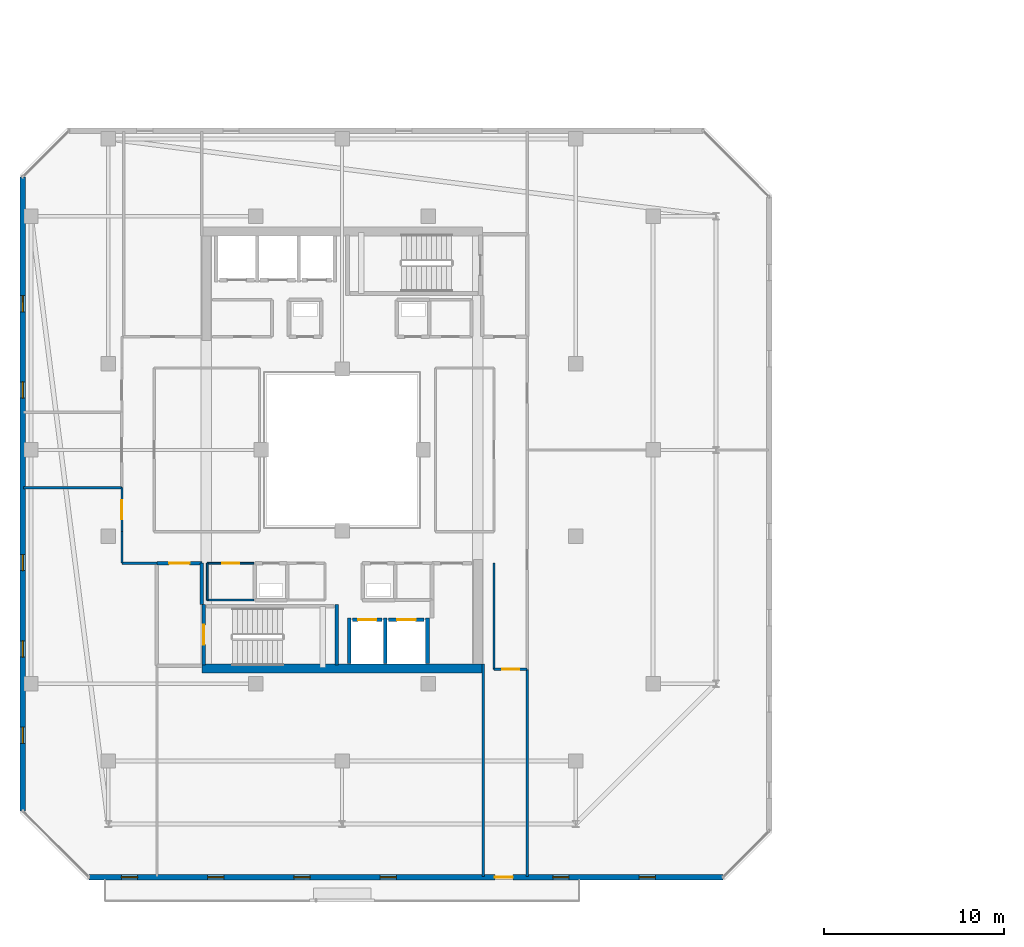
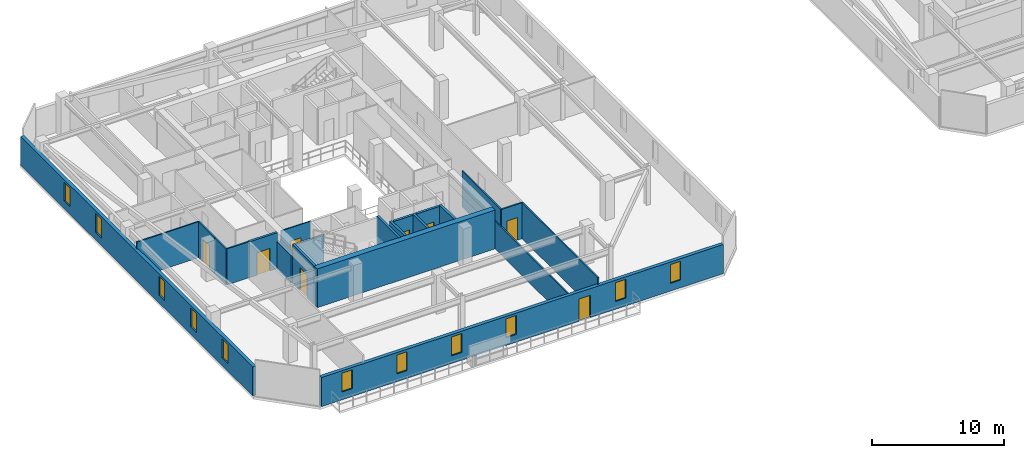
# One storey, part 21 of 34: 23 walls, 11 windows, 8 doors, 19 openings.
"""IFC4 building model written with IfcOpenShell, lengths in metres."""

from ifc_helpers import new_model, si_unit, direction, frame, frame_2d, origin, place, context, subcontext, project, spatial, rectangle, extrude, material, layer, layer_set, type_object, element, fill, save


model = new_model("IFC4")

# Units and contexts
model_context = context("Model", 3, precision=1e-05, world=origin(), true_north=direction((0.0, 1.0)))
body_context = subcontext(model_context, "Body", "Model", "MODEL_VIEW")
ifc_project = project(units=[si_unit("LENGTHUNIT", "METRE"), si_unit("AREAUNIT", "SQUARE_METRE"), si_unit("VOLUMEUNIT", "CUBIC_METRE"), si_unit("PLANEANGLEUNIT", "RADIAN"), si_unit("MASSUNIT", "GRAM", prefix="KILO")], contexts=[model_context])

# Site, building, storey
site_placement = place(None, origin())
site = spatial("IfcSite", under=ifc_project, at=site_placement, CompositionType="ELEMENT")
building_placement = place(site_placement, origin())
building = spatial("IfcBuilding", under=site, at=building_placement, Name="Thornwick Lancets Civic Towers", CompositionType="ELEMENT")
storey_placement = place(building_placement, frame((0.0, 0.0, 261.89990234375)))
storey = spatial("IfcBuildingStorey", under=building, at=storey_placement, Name="L70", CompositionType="ELEMENT", Elevation=261.89990234375)

# Wall, opening, door
ifc_material_1 = material(Name="Concrete blockwork C40/50", Category="masonry")
ifc_layer_1 = layer(ifc_material_1, 0.199951171875, Name="Concrete blockwork C40/50")
ifc_layer_set_1 = layer_set([ifc_layer_1], Name="Concrete blockwork C40/50")
wall_type_1 = type_object("IfcWallType", Name="WALL_COMP_200", PredefinedType="STANDARD", material=ifc_layer_set_1)
wall_1_placement = place(storey_placement, frame((26.080078125, 17.550048828125, 0.0), z_axis=(0.0, 0.0, 1.0), x_axis=(1.0, 0.0, 0.0)))
wall_1 = element("IfcWall", 1, at=wall_1_placement, inside=storey, type_object=wall_type_1, Name="L70 Hoistway Front Wall FL-A1", PredefinedType="STANDARD", context=body_context, shape_type="SweptSolid", body=[
    extrude(rectangle(XDim=1.639892578125, YDim=0.199951171875, at=frame_2d((0.81982421875, 0.0))), origin(), (0.0, 0.0, 1.0), 3.340087890625),
])
opening_1_placement = place(wall_1_placement, frame((0.31005859375, 0.0, 0.0)))
opening_1 = element("IfcOpeningElement", 2, at=opening_1_placement, cuts=wall_1, Name="Opening LD-FL-A1", PredefinedType="OPENING", context=body_context, shape_type="SweptSolid", body=[
    extrude(rectangle(XDim=1.02001953125, YDim=2.06005859375, at=frame_2d((0.510009765625, 1.030029296875))), frame((0.0, 0.10986328125, 0.0), z_axis=(0.0, -1.0, 0.0), x_axis=(1.0, 0.0, 0.0)), (0.0, 0.0, 1.0), 0.219970703125),
])
ifc_material_2 = material(Name="Brushed bronze stainless steel", Category="steel")
door_type_1 = type_object("IfcDoorType", Name="DOOR_LIFT_SLIDE", OperationType="SLIDING_TO_LEFT", PredefinedType="DOOR", material=ifc_material_2)
door_1_placement = place(opening_1_placement, origin())
door_1 = element("IfcDoor", 3, at=door_1_placement, inside=storey, type_object=door_type_1, Name="L70 Sliding Lift Landing Door LD-FL-A1", OperationType="SLIDING_TO_LEFT", OverallHeight=2.06005859375, OverallWidth=1.02001953125, PredefinedType="DOOR", context=body_context, shape_type="SweptSolid", body=[
    extrude(rectangle(XDim=1.02001953125, YDim=2.06005859375, at=frame_2d((0.510009765625, 1.030029296875))), frame((0.0, 0.02490234375, 0.0), z_axis=(0.0, -1.0, 0.0), x_axis=(1.0, 0.0, 0.0)), (0.0, 0.0, 1.0), 0.050048828125),
])
fill(opening_1, door_1)

wall_2_placement = place(storey_placement, frame((28.080078125, 17.550048828125, 0.0), z_axis=(0.0, 0.0, 1.0), x_axis=(1.0, 0.0, 0.0)))
wall_2 = element("IfcWall", 4, at=wall_2_placement, inside=storey, type_object=wall_type_1, Name="L70 Hoistway Front Wall PL-AH1", PredefinedType="STANDARD", context=body_context, shape_type="SweptSolid", body=[
    extrude(rectangle(XDim=1.989990234375, YDim=0.199951171875, at=frame_2d((0.9951171875, 0.0))), origin(), (0.0, 0.0, 1.0), 3.340087890625),
])
opening_2_placement = place(wall_2_placement, frame((0.485107421875, 0.0, 0.0)))
opening_2 = element("IfcOpeningElement", 5, at=opening_2_placement, cuts=wall_2, Name="Opening LD-PL-AH1", PredefinedType="OPENING", context=body_context, shape_type="SweptSolid", body=[
    extrude(rectangle(XDim=1.02001953125, YDim=2.06005859375, at=frame_2d((0.510009765625, 1.030029296875))), frame((0.0, 0.10986328125, 0.0), z_axis=(0.0, -1.0, 0.0), x_axis=(1.0, 0.0, 0.0)), (0.0, 0.0, 1.0), 0.219970703125),
])
door_2_placement = place(opening_2_placement, origin())
door_2 = element("IfcDoor", 6, at=door_2_placement, inside=storey, type_object=door_type_1, Name="L70 Sliding Lift Landing Door LD-PL-AH1", OperationType="SLIDING_TO_LEFT", OverallHeight=2.06005859375, OverallWidth=1.02001953125, PredefinedType="DOOR", context=body_context, shape_type="SweptSolid", body=[
    extrude(rectangle(XDim=1.02001953125, YDim=2.06005859375, at=frame_2d((0.510009765625, 1.030029296875))), frame((0.0, 0.02490234375, 0.0), z_axis=(0.0, -1.0, 0.0), x_axis=(1.0, 0.0, 0.0)), (0.0, 0.0, 1.0), 0.050048828125),
])
fill(opening_2, door_2)

# Walls
for number, where, z_axis, x_axis, name in (
    (7, (27.89990234375, 15.112060546875, 0.0), (0.0, 0.0, 1.0), (0.0, 1.0, 0.0), "L70 Hoistway Shaft Wall FL-A1 E"),
    (8, (25.89990234375, 15.112060546875, 0.0), (0.0, 0.0, 1.0), (0.0, 1.0, 0.0), "L70 Hoistway Shaft Wall FL-A1 W"),
    (9, (30.25, 15.112060546875, 0.0), (0.0, 0.0, 1.0), (0.0, 1.0, 0.0), "L70 Hoistway Shaft Wall PL-AH1 E"),
):
    element("IfcWall", number, at=place(storey_placement, frame(where, z_axis=z_axis, x_axis=x_axis)), inside=storey, type_object=wall_type_1, Name=name, PredefinedType="STANDARD", context=body_context, shape_type="SweptSolid", body=[
        extrude(rectangle(XDim=2.535888671875, YDim=0.199951171875, at=frame_2d((1.26806640625, 0.0))), origin(), (0.0, 0.0, 1.0), 3.340087890625),
    ])
wall_3_placement = place(storey_placement, frame((17.699951171875, 18.39990234375, 0.0), z_axis=(0.0, 0.0, 1.0), x_axis=(0.0, 1.0, 0.0)))
element("IfcWall", 10, at=wall_3_placement, inside=storey, type_object=wall_type_1, Name="L70 Partition L70-A-FFLOB1 E2", PredefinedType="STANDARD", context=body_context, shape_type="SweptSolid", body=[
    extrude(rectangle(XDim=2.300048828125, YDim=0.199951171875, at=frame_2d((1.14990234375, 0.0))), origin(), (0.0, 0.0, 1.0), 2.545166015625),
])

# Wall, opening, door
wall_4_placement = place(storey_placement, frame((17.699951171875, 20.699951171875, 0.0), z_axis=(0.0, 0.0, 1.0), x_axis=(-1.0, 0.0, 0.0)))
wall_4 = element("IfcWall", 11, at=wall_4_placement, inside=storey, type_object=wall_type_1, Name="L70 Partition L70-A-FFLOB1 E3", PredefinedType="STANDARD", context=body_context, shape_type="SweptSolid", body=[
    extrude(rectangle(XDim=2.5, YDim=0.199951171875, at=frame_2d((1.25, 0.0))), origin(), (0.0, 0.0, 1.0), 3.340087890625),
])
opening_3_placement = place(wall_4_placement, frame((0.675048828125, 0.0, 0.0)))
opening_3 = element("IfcOpeningElement", 12, at=opening_3_placement, cuts=wall_4, Name="Opening D-L70-3179", PredefinedType="OPENING", context=body_context, shape_type="SweptSolid", body=[
    extrude(rectangle(XDim=1.14990234375, YDim=2.10009765625, at=frame_2d((0.574951171875, 1.050048828125))), frame((0.0, 0.10986328125, 0.0), z_axis=(0.0, -1.0, 0.0), x_axis=(1.0, 0.0, 0.0)), (0.0, 0.0, 1.0), 0.219970703125),
])
ifc_material_3 = material(Name="Glazed fire-resisting steel", Category="steel")
door_type_2 = type_object("IfcDoorType", Name="DOOR_LOBBY_FD60", OperationType="NOTDEFINED", PredefinedType="DOOR", material=ifc_material_3)
door_3_placement = place(opening_3_placement, origin())
door_3 = element("IfcDoor", 13, at=door_3_placement, inside=storey, type_object=door_type_2, Name="L70 South Firefighting Lobby 1 Door", OperationType="SINGLE_SWING_RIGHT", OverallHeight=2.10009765625, OverallWidth=1.14990234375, PredefinedType="DOOR", context=body_context, shape_type="SweptSolid", body=[
    extrude(rectangle(XDim=1.14990234375, YDim=2.10009765625, at=frame_2d((0.574951171875, 1.050048828125))), frame((0.0, 0.02490234375, 0.0), z_axis=(0.0, -1.0, 0.0), x_axis=(1.0, 0.0, 0.0)), (0.0, 0.0, 1.0), 0.050048828125),
])
fill(opening_3, door_3)

# Wall
ifc_material_4 = material(Name="Concrete C50/60", Category="concrete")
ifc_layer_2 = layer(ifc_material_4, 0.5, Name="Concrete C50/60")
ifc_layer_set_2 = layer_set([ifc_layer_2], Name="Concrete C50/60")
wall_type_2 = type_object("IfcWallType", Name="WALL_CORE_500", PredefinedType="SHEAR", material=ifc_layer_set_2)
wall_5_placement = place(storey_placement, frame((17.699951171875, 14.85009765625, 0.0), z_axis=(0.0, 0.0, 1.0), x_axis=(1.0, 0.0, 0.0)))
element("IfcWall", 14, at=wall_5_placement, inside=storey, type_object=wall_type_2, Name="L70 Split Core A1 Shear Wall S", PredefinedType="SHEAR", context=body_context, shape_type="SweptSolid", body=[
    extrude(rectangle(XDim=15.60009765625, YDim=0.5, at=frame_2d((7.800048828125, 0.0))), origin(), (0.0, 0.0, 1.0), 3.60009765625),
])

# Wall, openings, door, windows
ifc_material_5 = material(Name="Insulated russet terracotta rainscreen on concrete C40/50", Category="masonry")
ifc_layer_3 = layer(ifc_material_5, 0.300048828125, Name="Insulated russet terracotta rainscreen on concrete C40/50")
ifc_layer_set_3 = layer_set([ifc_layer_3], Name="Insulated russet terracotta rainscreen on concrete C40/50")
wall_type_3 = type_object("IfcWallType", Name="WALL_EXT_RUSSET_300", PredefinedType="STANDARD", material=ifc_layer_set_3)
wall_6_placement = place(storey_placement, frame((11.42236328125, 3.239013671875, 0.0), z_axis=(0.0, 0.0, 1.0), x_axis=(0.999999994606, -0.000103863011, 0.0)))
wall_6 = element("IfcWall", 15, at=wall_6_placement, inside=storey, type_object=wall_type_3, Name="L70 Tower A Terracotta Facade Wall E0", PredefinedType="STANDARD", context=body_context, shape_type="SweptSolid", body=[
    extrude(rectangle(XDim=35.259033203125, YDim=0.300048828125, at=frame_2d((17.62939453125, 0.0))), origin(), (0.0, 0.0, 1.0), 2.7001953125),
])
opening_4_placement = place(wall_6_placement, frame((22.57958984375, 0.0, 0.0)))
opening_4 = element("IfcOpeningElement", 16, at=opening_4_placement, cuts=wall_6, Name="Opening D-BL-L70-AS", PredefinedType="OPENING", context=body_context, shape_type="SweptSolid", body=[
    extrude(rectangle(XDim=1.0, YDim=2.080078125, at=frame_2d((0.5, 1.0400390625))), frame((0.0, 0.16015625, 0.0), z_axis=(0.0, -1.0, 0.0), x_axis=(1.0, 0.0, 0.0)), (0.0, 0.0, 1.0), 0.320068359375),
])
opening_5_placement = place(wall_6_placement, frame((1.800048828125, 0.0, 0.719970703125)))
opening_5 = element("IfcOpeningElement", 17, at=opening_5_placement, cuts=wall_6, Name="Opening WL-01", PredefinedType="OPENING", context=body_context, shape_type="SweptSolid", body=[
    extrude(rectangle(XDim=0.89990234375, YDim=1.75, at=frame_2d((0.449951171875, 0.875))), frame((0.0, 0.16015625, 0.0), z_axis=(0.0, -1.0, 0.0), x_axis=(1.0, 0.0, 0.0)), (0.0, 0.0, 1.0), 0.320068359375),
])
opening_6_placement = place(wall_6_placement, frame((6.60009765625, 0.0, 0.719970703125)))
opening_6 = element("IfcOpeningElement", 18, at=opening_6_placement, cuts=wall_6, Name="Opening WL-01", PredefinedType="OPENING", context=body_context, shape_type="SweptSolid", body=[
    extrude(rectangle(XDim=0.89990234375, YDim=1.75, at=frame_2d((0.449951171875, 0.875))), frame((0.0, 0.16015625, 0.0), z_axis=(0.0, -1.0, 0.0), x_axis=(1.0, 0.0, 0.0)), (0.0, 0.0, 1.0), 0.320068359375),
])
opening_7_placement = place(wall_6_placement, frame((11.39990234375, 0.0, 0.719970703125)))
opening_7 = element("IfcOpeningElement", 19, at=opening_7_placement, cuts=wall_6, Name="Opening WL-01", PredefinedType="OPENING", context=body_context, shape_type="SweptSolid", body=[
    extrude(rectangle(XDim=0.89990234375, YDim=1.75, at=frame_2d((0.449951171875, 0.875))), frame((0.0, 0.16015625, 0.0), z_axis=(0.0, -1.0, 0.0), x_axis=(1.0, 0.0, 0.0)), (0.0, 0.0, 1.0), 0.320068359375),
])
opening_8_placement = place(wall_6_placement, frame((16.199951171875, 0.0, 0.719970703125)))
opening_8 = element("IfcOpeningElement", 20, at=opening_8_placement, cuts=wall_6, Name="Opening WL-01", PredefinedType="OPENING", context=body_context, shape_type="SweptSolid", body=[
    extrude(rectangle(XDim=0.89990234375, YDim=1.75, at=frame_2d((0.449951171875, 0.875))), frame((0.0, 0.16015625, 0.0), z_axis=(0.0, -1.0, 0.0), x_axis=(1.0, 0.0, 0.0)), (0.0, 0.0, 1.0), 0.320068359375),
])
opening_9_placement = place(wall_6_placement, frame((25.800048828125, 0.0, 0.719970703125)))
opening_9 = element("IfcOpeningElement", 21, at=opening_9_placement, cuts=wall_6, Name="Opening WL-01", PredefinedType="OPENING", context=body_context, shape_type="SweptSolid", body=[
    extrude(rectangle(XDim=0.89990234375, YDim=1.75, at=frame_2d((0.449951171875, 0.875))), frame((0.0, 0.16015625, 0.0), z_axis=(0.0, -1.0, 0.0), x_axis=(1.0, 0.0, 0.0)), (0.0, 0.0, 1.0), 0.320068359375),
])
opening_10_placement = place(wall_6_placement, frame((30.60009765625, 0.0, 0.719970703125)))
opening_10 = element("IfcOpeningElement", 22, at=opening_10_placement, cuts=wall_6, Name="Opening WL-01", PredefinedType="OPENING", context=body_context, shape_type="SweptSolid", body=[
    extrude(rectangle(XDim=0.89990234375, YDim=1.75, at=frame_2d((0.449951171875, 0.875))), frame((0.0, 0.16015625, 0.0), z_axis=(0.0, -1.0, 0.0), x_axis=(1.0, 0.0, 0.0)), (0.0, 0.0, 1.0), 0.320068359375),
])
ifc_material_6 = material(Name="Thermally broken glazed loggia doorset")
door_type_3 = type_object("IfcDoorType", Name="DOOR_BALC_1000", OperationType="NOTDEFINED", PredefinedType="DOOR", material=ifc_material_6)
door_4_placement = place(opening_4_placement, origin())
door_4 = element("IfcDoor", 23, at=door_4_placement, inside=storey, type_object=door_type_3, Name="L70 Tower A Loggia Balcony Door S", OperationType="SINGLE_SWING_LEFT", OverallHeight=2.080078125, OverallWidth=1.0, PredefinedType="DOOR", context=body_context, shape_type="SweptSolid", body=[
    extrude(rectangle(XDim=1.0, YDim=2.080078125, at=frame_2d((0.5, 1.0400390625))), frame((0.0, 0.02490234375, 0.0), z_axis=(0.0, -1.0, 0.0), x_axis=(1.0, 0.0, 0.0)), (0.0, 0.0, 1.0), 0.050048828125),
])
fill(opening_4, door_4)
ifc_material_7 = material(Name="Clear low-e double glazing in bronze frame", Category="glass")
window_type = type_object("IfcWindowType", Name="WIN_LANCET_900", PartitioningType="SINGLE_PANEL", PredefinedType="WINDOW", material=ifc_material_7)
window_1_placement = place(opening_5_placement, origin())
window_1 = element("IfcWindow", 24, at=window_1_placement, inside=storey, type_object=window_type, Name="L70 Tower A Staggered Lancet Window E0-1", OverallHeight=1.75, OverallWidth=0.89990234375, PartitioningType="SINGLE_PANEL", PredefinedType="WINDOW", context=body_context, shape_type="SweptSolid", body=[
    extrude(rectangle(XDim=0.89990234375, YDim=1.75, at=frame_2d((0.449951171875, 0.875))), frame((0.0, 0.030029296875, 0.0), z_axis=(0.0, -1.0, 0.0), x_axis=(1.0, 0.0, 0.0)), (0.0, 0.0, 1.0), 0.06005859375),
])
fill(opening_5, window_1)
window_2_placement = place(opening_6_placement, origin())
window_2 = element("IfcWindow", 25, at=window_2_placement, inside=storey, type_object=window_type, Name="L70 Tower A Staggered Lancet Window E0-2", OverallHeight=1.75, OverallWidth=0.89990234375, PartitioningType="SINGLE_PANEL", PredefinedType="WINDOW", context=body_context, shape_type="SweptSolid", body=[
    extrude(rectangle(XDim=0.89990234375, YDim=1.75, at=frame_2d((0.449951171875, 0.875))), frame((0.0, 0.030029296875, 0.0), z_axis=(0.0, -1.0, 0.0), x_axis=(1.0, 0.0, 0.0)), (0.0, 0.0, 1.0), 0.06005859375),
])
fill(opening_6, window_2)
window_3_placement = place(opening_7_placement, origin())
window_3 = element("IfcWindow", 26, at=window_3_placement, inside=storey, type_object=window_type, Name="L70 Tower A Staggered Lancet Window E0-3", OverallHeight=1.75, OverallWidth=0.89990234375, PartitioningType="SINGLE_PANEL", PredefinedType="WINDOW", context=body_context, shape_type="SweptSolid", body=[
    extrude(rectangle(XDim=0.89990234375, YDim=1.75, at=frame_2d((0.449951171875, 0.875))), frame((0.0, 0.030029296875, 0.0), z_axis=(0.0, -1.0, 0.0), x_axis=(1.0, 0.0, 0.0)), (0.0, 0.0, 1.0), 0.06005859375),
])
fill(opening_7, window_3)
window_4_placement = place(opening_8_placement, origin())
window_4 = element("IfcWindow", 27, at=window_4_placement, inside=storey, type_object=window_type, Name="L70 Tower A Staggered Lancet Window E0-4", OverallHeight=1.75, OverallWidth=0.89990234375, PartitioningType="SINGLE_PANEL", PredefinedType="WINDOW", context=body_context, shape_type="SweptSolid", body=[
    extrude(rectangle(XDim=0.89990234375, YDim=1.75, at=frame_2d((0.449951171875, 0.875))), frame((0.0, 0.030029296875, 0.0), z_axis=(0.0, -1.0, 0.0), x_axis=(1.0, 0.0, 0.0)), (0.0, 0.0, 1.0), 0.06005859375),
])
fill(opening_8, window_4)
window_5_placement = place(opening_9_placement, origin())
window_5 = element("IfcWindow", 28, at=window_5_placement, inside=storey, type_object=window_type, Name="L70 Tower A Staggered Lancet Window E0-5", OverallHeight=1.75, OverallWidth=0.89990234375, PartitioningType="SINGLE_PANEL", PredefinedType="WINDOW", context=body_context, shape_type="SweptSolid", body=[
    extrude(rectangle(XDim=0.89990234375, YDim=1.75, at=frame_2d((0.449951171875, 0.875))), frame((0.0, 0.030029296875, 0.0), z_axis=(0.0, -1.0, 0.0), x_axis=(1.0, 0.0, 0.0)), (0.0, 0.0, 1.0), 0.06005859375),
])
fill(opening_9, window_5)
window_6_placement = place(opening_10_placement, origin())
window_6 = element("IfcWindow", 29, at=window_6_placement, inside=storey, type_object=window_type, Name="L70 Tower A Staggered Lancet Window E0-6", OverallHeight=1.75, OverallWidth=0.89990234375, PartitioningType="SINGLE_PANEL", PredefinedType="WINDOW", context=body_context, shape_type="SweptSolid", body=[
    extrude(rectangle(XDim=0.89990234375, YDim=1.75, at=frame_2d((0.449951171875, 0.875))), frame((0.0, 0.030029296875, 0.0), z_axis=(0.0, -1.0, 0.0), x_axis=(1.0, 0.0, 0.0)), (0.0, 0.0, 1.0), 0.06005859375),
])
fill(opening_10, window_6)

# Wall, openings, windows
wall_7_placement = place(storey_placement, frame((7.7353515625, 42.181396484375, 0.0), z_axis=(0.0, 0.0, 1.0), x_axis=(0.000103863011, -0.999999994606, 0.0)))
wall_7 = element("IfcWall", 30, at=wall_7_placement, inside=storey, type_object=wall_type_3, Name="L70 Tower A Terracotta Facade Wall E6", PredefinedType="STANDARD", context=body_context, shape_type="SweptSolid", body=[
    extrude(rectangle(XDim=35.259033203125, YDim=0.300048828125, at=frame_2d((17.62939453125, 0.0))), origin(), (0.0, 0.0, 1.0), 2.7001953125),
])
opening_11_placement = place(wall_7_placement, frame((6.60009765625, 0.0, 0.719970703125)))
opening_11 = element("IfcOpeningElement", 31, at=opening_11_placement, cuts=wall_7, Name="Opening WL-01", PredefinedType="OPENING", context=body_context, shape_type="SweptSolid", body=[
    extrude(rectangle(XDim=0.89990234375, YDim=1.75, at=frame_2d((0.449951171875, 0.875))), frame((0.0, 0.16015625, 0.0), z_axis=(0.0, -1.0, 0.0), x_axis=(1.0, 0.0, 0.0)), (0.0, 0.0, 1.0), 0.320068359375),
])
opening_12_placement = place(wall_7_placement, frame((11.39990234375, 0.0, 0.719970703125)))
opening_12 = element("IfcOpeningElement", 32, at=opening_12_placement, cuts=wall_7, Name="Opening WL-01", PredefinedType="OPENING", context=body_context, shape_type="SweptSolid", body=[
    extrude(rectangle(XDim=0.89990234375, YDim=1.75, at=frame_2d((0.449951171875, 0.875))), frame((0.0, 0.16015625, 0.0), z_axis=(0.0, -1.0, 0.0), x_axis=(1.0, 0.0, 0.0)), (0.0, 0.0, 1.0), 0.320068359375),
])
opening_13_placement = place(wall_7_placement, frame((21.0, 0.0, 0.719970703125)))
opening_13 = element("IfcOpeningElement", 33, at=opening_13_placement, cuts=wall_7, Name="Opening WL-01", PredefinedType="OPENING", context=body_context, shape_type="SweptSolid", body=[
    extrude(rectangle(XDim=0.89990234375, YDim=1.75, at=frame_2d((0.449951171875, 0.875))), frame((0.0, 0.16015625, 0.0), z_axis=(0.0, -1.0, 0.0), x_axis=(1.0, 0.0, 0.0)), (0.0, 0.0, 1.0), 0.320068359375),
])
opening_14_placement = place(wall_7_placement, frame((25.800048828125, 0.0, 0.719970703125)))
opening_14 = element("IfcOpeningElement", 34, at=opening_14_placement, cuts=wall_7, Name="Opening WL-01", PredefinedType="OPENING", context=body_context, shape_type="SweptSolid", body=[
    extrude(rectangle(XDim=0.89990234375, YDim=1.75, at=frame_2d((0.449951171875, 0.875))), frame((0.0, 0.16015625, 0.0), z_axis=(0.0, -1.0, 0.0), x_axis=(1.0, 0.0, 0.0)), (0.0, 0.0, 1.0), 0.320068359375),
])
opening_15_placement = place(wall_7_placement, frame((30.60009765625, 0.0, 0.719970703125)))
opening_15 = element("IfcOpeningElement", 35, at=opening_15_placement, cuts=wall_7, Name="Opening WL-01", PredefinedType="OPENING", context=body_context, shape_type="SweptSolid", body=[
    extrude(rectangle(XDim=0.89990234375, YDim=1.75, at=frame_2d((0.449951171875, 0.875))), frame((0.0, 0.16015625, 0.0), z_axis=(0.0, -1.0, 0.0), x_axis=(1.0, 0.0, 0.0)), (0.0, 0.0, 1.0), 0.320068359375),
])
window_7_placement = place(opening_11_placement, origin())
window_7 = element("IfcWindow", 36, at=window_7_placement, inside=storey, type_object=window_type, Name="L70 Tower A Staggered Lancet Window E6-1", OverallHeight=1.75, OverallWidth=0.89990234375, PartitioningType="SINGLE_PANEL", PredefinedType="WINDOW", context=body_context, shape_type="SweptSolid", body=[
    extrude(rectangle(XDim=0.89990234375, YDim=1.75, at=frame_2d((0.449951171875, 0.875))), frame((0.0, 0.030029296875, 0.0), z_axis=(0.0, -1.0, 0.0), x_axis=(1.0, 0.0, 0.0)), (0.0, 0.0, 1.0), 0.06005859375),
])
fill(opening_11, window_7)
window_8_placement = place(opening_12_placement, origin())
window_8 = element("IfcWindow", 37, at=window_8_placement, inside=storey, type_object=window_type, Name="L70 Tower A Staggered Lancet Window E6-2", OverallHeight=1.75, OverallWidth=0.89990234375, PartitioningType="SINGLE_PANEL", PredefinedType="WINDOW", context=body_context, shape_type="SweptSolid", body=[
    extrude(rectangle(XDim=0.89990234375, YDim=1.75, at=frame_2d((0.449951171875, 0.875))), frame((0.0, 0.030029296875, 0.0), z_axis=(0.0, -1.0, 0.0), x_axis=(1.0, 0.0, 0.0)), (0.0, 0.0, 1.0), 0.06005859375),
])
fill(opening_12, window_8)
window_9_placement = place(opening_13_placement, origin())
window_9 = element("IfcWindow", 38, at=window_9_placement, inside=storey, type_object=window_type, Name="L70 Tower A Staggered Lancet Window E6-3", OverallHeight=1.75, OverallWidth=0.89990234375, PartitioningType="SINGLE_PANEL", PredefinedType="WINDOW", context=body_context, shape_type="SweptSolid", body=[
    extrude(rectangle(XDim=0.89990234375, YDim=1.75, at=frame_2d((0.449951171875, 0.875))), frame((0.0, 0.030029296875, 0.0), z_axis=(0.0, -1.0, 0.0), x_axis=(1.0, 0.0, 0.0)), (0.0, 0.0, 1.0), 0.06005859375),
])
fill(opening_13, window_9)
window_10_placement = place(opening_14_placement, origin())
window_10 = element("IfcWindow", 39, at=window_10_placement, inside=storey, type_object=window_type, Name="L70 Tower A Staggered Lancet Window E6-4", OverallHeight=1.75, OverallWidth=0.89990234375, PartitioningType="SINGLE_PANEL", PredefinedType="WINDOW", context=body_context, shape_type="SweptSolid", body=[
    extrude(rectangle(XDim=0.89990234375, YDim=1.75, at=frame_2d((0.449951171875, 0.875))), frame((0.0, 0.030029296875, 0.0), z_axis=(0.0, -1.0, 0.0), x_axis=(1.0, 0.0, 0.0)), (0.0, 0.0, 1.0), 0.06005859375),
])
fill(opening_14, window_10)
window_11_placement = place(opening_15_placement, origin())
window_11 = element("IfcWindow", 40, at=window_11_placement, inside=storey, type_object=window_type, Name="L70 Tower A Staggered Lancet Window E6-5", OverallHeight=1.75, OverallWidth=0.89990234375, PartitioningType="SINGLE_PANEL", PredefinedType="WINDOW", context=body_context, shape_type="SweptSolid", body=[
    extrude(rectangle(XDim=0.89990234375, YDim=1.75, at=frame_2d((0.449951171875, 0.875))), frame((0.0, 0.030029296875, 0.0), z_axis=(0.0, -1.0, 0.0), x_axis=(1.0, 0.0, 0.0)), (0.0, 0.0, 1.0), 0.06005859375),
])
fill(opening_15, window_11)

# Wall
ifc_material_8 = material(Name="Lightweight cellular office partition")
ifc_layer_4 = layer(ifc_material_8, 0.10009765625, Name="Lightweight cellular office partition")
ifc_layer_set_4 = layer_set([ifc_layer_4], Name="Lightweight cellular office partition")
wall_type_4 = type_object("IfcWallType", Name="WALL_PART_100", PredefinedType="PARTITIONING", material=ifc_layer_set_4)
wall_8_placement = place(storey_placement, frame((18.0, 18.64990234375, 0.0), z_axis=(0.0, 0.0, 1.0), x_axis=(1.0, 0.0, 0.0)))
element("IfcWall", 41, at=wall_8_placement, inside=storey, type_object=wall_type_4, Name="L70 Partition L70-A-CLN E1", PredefinedType="PARTITIONING", context=body_context, shape_type="SweptSolid", body=[
    extrude(rectangle(XDim=2.60009765625, YDim=0.10009765625, at=frame_2d((1.300048828125, 0.0))), origin(), (0.0, 0.0, 1.0), 3.340087890625),
])

# Wall, opening, door
wall_9_placement = place(storey_placement, frame((20.60009765625, 20.699951171875, 0.0), z_axis=(0.0, 0.0, 1.0), x_axis=(-1.0, 0.0, 0.0)))
wall_9 = element("IfcWall", 42, at=wall_9_placement, inside=storey, type_object=wall_type_4, Name="L70 Partition L70-A-CLN E3", PredefinedType="PARTITIONING", context=body_context, shape_type="SweptSolid", body=[
    extrude(rectangle(XDim=2.60009765625, YDim=0.10009765625, at=frame_2d((1.300048828125, 0.0))), origin(), (0.0, 0.0, 1.0), 3.340087890625),
])
opening_16_placement = place(wall_9_placement, frame((0.824951171875, 0.0, 0.0)))
opening_16 = element("IfcOpeningElement", 43, at=opening_16_placement, cuts=wall_9, Name="Opening D-L70-3185", PredefinedType="OPENING", context=body_context, shape_type="SweptSolid", body=[
    extrude(rectangle(XDim=0.949951171875, YDim=2.10009765625, at=frame_2d((0.47509765625, 1.050048828125))), frame((0.0, 0.06005859375, 0.0), z_axis=(0.0, -1.0, 0.0), x_axis=(1.0, 0.0, 0.0)), (0.0, 0.0, 1.0), 0.1201171875),
])
ifc_material_9 = material(Name="European oak acoustic doorset")
door_type_4 = type_object("IfcDoorType", Name="DOOR_OFFICE_950", OperationType="NOTDEFINED", PredefinedType="DOOR", material=ifc_material_9)
door_5_placement = place(opening_16_placement, origin())
door_5 = element("IfcDoor", 44, at=door_5_placement, inside=storey, type_object=door_type_4, Name="L70 Tower A Cleaners Store Door", OperationType="SINGLE_SWING_RIGHT", OverallHeight=2.10009765625, OverallWidth=0.949951171875, PredefinedType="DOOR", context=body_context, shape_type="SweptSolid", body=[
    extrude(rectangle(XDim=0.949951171875, YDim=2.10009765625, at=frame_2d((0.47509765625, 1.050048828125))), frame((0.0, 0.02490234375, 0.0), z_axis=(0.0, -1.0, 0.0), x_axis=(1.0, 0.0, 0.0)), (0.0, 0.0, 1.0), 0.050048828125),
])
fill(opening_16, door_5)

# Walls
wall_10_placement = place(storey_placement, frame((18.0, 20.699951171875, 0.0), z_axis=(0.0, 0.0, 1.0), x_axis=(0.0, -1.0, 0.0)))
element("IfcWall", 45, at=wall_10_placement, inside=storey, type_object=wall_type_4, Name="L70 Partition L70-A-CLN E4", PredefinedType="PARTITIONING", context=body_context, shape_type="SweptSolid", body=[
    extrude(rectangle(XDim=2.050048828125, YDim=0.10009765625, at=frame_2d((1.02490234375, 0.0))), origin(), (0.0, 0.0, 1.0), 2.545166015625),
])
ifc_material_10 = material(Name="Acoustic gypsum board partition")
ifc_layer_5 = layer(ifc_material_10, 0.1201171875, Name="Acoustic gypsum board partition")
ifc_layer_set_5 = layer_set([ifc_layer_5], Name="Acoustic gypsum board partition")
wall_type_5 = type_object("IfcWallType", Name="WALL_PART_120", PredefinedType="PARTITIONING", material=ifc_layer_set_5)
wall_11_placement = place(storey_placement, frame((33.949951171875, 20.699951171875, 0.0), z_axis=(0.0, 0.0, 1.0), x_axis=(0.0, -1.0, 0.0)))
element("IfcWall", 46, at=wall_11_placement, inside=storey, type_object=wall_type_5, Name="L70 Partition L70-A-RECLAIM-L E1", PredefinedType="PARTITIONING", context=body_context, shape_type="SweptSolid", body=[
    extrude(rectangle(XDim=5.89990234375, YDim=0.1201171875, at=frame_2d((2.949951171875, 0.0))), origin(), (0.0, 0.0, 1.0), 3.340087890625),
])

# Wall, opening, door
wall_12_placement = place(storey_placement, frame((33.949951171875, 14.800048828125, 0.0), z_axis=(0.0, 0.0, 1.0), x_axis=(1.0, 0.0, 0.0)))
wall_12 = element("IfcWall", 47, at=wall_12_placement, inside=storey, type_object=wall_type_5, Name="L70 Partition L70-A-RECLAIM-L E2", PredefinedType="PARTITIONING", context=body_context, shape_type="SweptSolid", body=[
    extrude(rectangle(XDim=1.85009765625, YDim=0.1201171875, at=frame_2d((0.925048828125, 0.0))), origin(), (0.0, 0.0, 1.0), 3.340087890625),
])
opening_17_placement = place(wall_12_placement, frame((0.449951171875, 0.0, 0.0)))
opening_17 = element("IfcOpeningElement", 48, at=opening_17_placement, cuts=wall_12, Name="Opening D-L70-3203", PredefinedType="OPENING", context=body_context, shape_type="SweptSolid", body=[
    extrude(rectangle(XDim=0.949951171875, YDim=2.10009765625, at=frame_2d((0.47509765625, 1.050048828125))), frame((0.0, 0.070068359375, 0.0), z_axis=(0.0, -1.0, 0.0), x_axis=(1.0, 0.0, 0.0)), (0.0, 0.0, 1.0), 0.14013671875),
])
door_6_placement = place(opening_17_placement, origin())
door_6 = element("IfcDoor", 49, at=door_6_placement, inside=storey, type_object=door_type_4, Name="L70 Tower A Parliamentary Drafting Library Door", OperationType="SINGLE_SWING_RIGHT", OverallHeight=2.10009765625, OverallWidth=0.949951171875, PredefinedType="DOOR", context=body_context, shape_type="SweptSolid", body=[
    extrude(rectangle(XDim=0.949951171875, YDim=2.10009765625, at=frame_2d((0.47509765625, 1.050048828125))), frame((0.0, 0.02490234375, 0.0), z_axis=(0.0, -1.0, 0.0), x_axis=(1.0, 0.0, 0.0)), (0.0, 0.0, 1.0), 0.050048828125),
])
fill(opening_17, door_6)

# Walls
wall_13_placement = place(storey_placement, frame((35.800048828125, 14.800048828125, 0.0), z_axis=(0.0, 0.0, 1.0), x_axis=(0.0, -1.0, 0.0)))
element("IfcWall", 50, at=wall_13_placement, inside=storey, type_object=wall_type_5, Name="L70 Partition L70-A-RECLAIM-L E3", PredefinedType="PARTITIONING", context=body_context, shape_type="SweptSolid", body=[
    extrude(rectangle(XDim=11.52001953125, YDim=0.1201171875, at=frame_2d((5.760009765625, 0.0))), origin(), (0.0, 0.0, 1.0), 3.340087890625),
])
wall_14_placement = place(storey_placement, frame((33.35009765625, 3.280029296875, 0.0), z_axis=(0.0, 0.0, 1.0), x_axis=(0.0, 1.0, 0.0)))
element("IfcWall", 51, at=wall_14_placement, inside=storey, type_object=wall_type_5, Name="L70 Partition L70-A-RECLAIM-L E5", PredefinedType="PARTITIONING", context=body_context, shape_type="SweptSolid", body=[
    extrude(rectangle(XDim=11.820068359375, YDim=0.1201171875, at=frame_2d((5.91015625, 0.0))), origin(), (0.0, 0.0, 1.0), 2.545166015625),
])

# Wall, opening, door
wall_15_placement = place(storey_placement, frame((13.25, 24.89990234375, 0.0), z_axis=(0.0, 0.0, 1.0), x_axis=(0.0, -1.0, 0.0)))
wall_15 = element("IfcWall", 52, at=wall_15_placement, inside=storey, type_object=wall_type_5, Name="L70 Partition L70-A-W1 E1", PredefinedType="PARTITIONING", context=body_context, shape_type="SweptSolid", body=[
    extrude(rectangle(XDim=2.449951171875, YDim=0.1201171875, at=frame_2d((1.22509765625, 0.0))), origin(), (0.0, 0.0, 1.0), 3.340087890625),
])
opening_18_placement = place(wall_15_placement, frame((0.699951171875, 0.0, 0.0)))
opening_18 = element("IfcOpeningElement", 53, at=opening_18_placement, cuts=wall_15, Name="Opening D-L70-3205", PredefinedType="OPENING", context=body_context, shape_type="SweptSolid", body=[
    extrude(rectangle(XDim=1.050048828125, YDim=2.10009765625, at=frame_2d((0.52490234375, 1.050048828125))), frame((0.0, 0.070068359375, 0.0), z_axis=(0.0, -1.0, 0.0), x_axis=(1.0, 0.0, 0.0)), (0.0, 0.0, 1.0), 0.14013671875),
])
ifc_material_11 = material(Name="Glazed European oak executive doorset")
door_type_5 = type_object("IfcDoorType", Name="DOOR_OFFICE_1050", OperationType="NOTDEFINED", PredefinedType="DOOR", material=ifc_material_11)
door_7_placement = place(opening_18_placement, origin())
door_7 = element("IfcDoor", 54, at=door_7_placement, inside=storey, type_object=door_type_5, Name="L70 Tower A Ministry Directorate Office W1 Door", OperationType="SINGLE_SWING_RIGHT", OverallHeight=2.10009765625, OverallWidth=1.050048828125, PredefinedType="DOOR", context=body_context, shape_type="SweptSolid", body=[
    extrude(rectangle(XDim=1.050048828125, YDim=2.10009765625, at=frame_2d((0.52490234375, 1.050048828125))), frame((0.0, 0.02490234375, 0.0), z_axis=(0.0, -1.0, 0.0), x_axis=(1.0, 0.0, 0.0)), (0.0, 0.0, 1.0), 0.050048828125),
])
fill(opening_18, door_7)

# Walls
wall_16_placement = place(storey_placement, frame((13.25, 22.449951171875, 0.0), z_axis=(0.0, 0.0, 1.0), x_axis=(0.0, -1.0, 0.0)))
element("IfcWall", 55, at=wall_16_placement, inside=storey, type_object=wall_type_5, Name="L70 Partition L70-A-W1 E2", PredefinedType="PARTITIONING", context=body_context, shape_type="SweptSolid", body=[
    extrude(rectangle(XDim=1.75, YDim=0.1201171875, at=frame_2d((0.875, 0.0))), origin(), (0.0, 0.0, 1.0), 3.340087890625),
])
wall_17_placement = place(storey_placement, frame((13.25, 20.699951171875, 0.0), z_axis=(0.0, 0.0, 1.0), x_axis=(1.0, 0.0, 0.0)))
element("IfcWall", 56, at=wall_17_placement, inside=storey, type_object=wall_type_5, Name="L70 Partition L70-A-W1 E3", PredefinedType="PARTITIONING", context=body_context, shape_type="SweptSolid", body=[
    extrude(rectangle(XDim=1.949951171875, YDim=0.1201171875, at=frame_2d((0.97509765625, 0.0))), origin(), (0.0, 0.0, 1.0), 3.340087890625),
])
wall_18_placement = place(storey_placement, frame((7.780029296875, 24.89990234375, 0.0), z_axis=(0.0, 0.0, 1.0), x_axis=(1.0, 0.0, 0.0)))
element("IfcWall", 57, at=wall_18_placement, inside=storey, type_object=wall_type_5, Name="L70 Partition L70-A-W1 E9", PredefinedType="PARTITIONING", context=body_context, shape_type="SweptSolid", body=[
    extrude(rectangle(XDim=5.469970703125, YDim=0.1201171875, at=frame_2d((2.73486328125, 0.0))), origin(), (0.0, 0.0, 1.0), 3.340087890625),
])

# Wall, opening, door
ifc_material_12 = material(Name="Concrete C40/50", Category="concrete")
ifc_layer_6 = layer(ifc_material_12, 0.199951171875, Name="Concrete C40/50")
ifc_layer_set_6 = layer_set([ifc_layer_6], Name="Concrete C40/50")
wall_type_6 = type_object("IfcWallType", Name="WALL_SHAFT_200", PredefinedType="SHEAR", material=ifc_layer_set_6)
wall_19_placement = place(storey_placement, frame((17.800048828125, 15.050048828125, 0.0), z_axis=(0.0, 0.0, 1.0), x_axis=(0.0, 1.0, 0.0)))
wall_19 = element("IfcWall", 58, at=wall_19_placement, inside=storey, type_object=wall_type_6, Name="L70 ST-A1 Fire Stair Core Wall NEAR", PredefinedType="SHEAR", context=body_context, shape_type="SweptSolid", body=[
    extrude(rectangle(XDim=3.349853515625, YDim=0.199951171875, at=frame_2d((1.6748046875, 0.0))), origin(), (0.0, 0.0, 1.0), 3.60009765625),
])
opening_19_placement = place(wall_19_placement, frame((1.125, 0.0, 0.0)))
opening_19 = element("IfcOpeningElement", 59, at=opening_19_placement, cuts=wall_19, Name="Opening D-ST-A1-L70", PredefinedType="OPENING", context=body_context, shape_type="SweptSolid", body=[
    extrude(rectangle(XDim=1.10009765625, YDim=2.10009765625, at=frame_2d((0.550048828125, 1.050048828125))), frame((0.0, 0.10986328125, 0.0), z_axis=(0.0, -1.0, 0.0), x_axis=(1.0, 0.0, 0.0)), (0.0, 0.0, 1.0), 0.219970703125),
])
ifc_material_13 = material(Name="Fire-resisting steel and hardwood", Category="steel")
door_type_6 = type_object("IfcDoorType", Name="DOOR_STAIR_FD60", OperationType="NOTDEFINED", PredefinedType="DOOR", material=ifc_material_13)
door_8_placement = place(opening_19_placement, origin())
door_8 = element("IfcDoor", 60, at=door_8_placement, inside=storey, type_object=door_type_6, Name="L70 ST-A1 Exit Stair Door", OperationType="SINGLE_SWING_RIGHT", OverallHeight=2.10009765625, OverallWidth=1.10009765625, PredefinedType="DOOR", context=body_context, shape_type="SweptSolid", body=[
    extrude(rectangle(XDim=1.10009765625, YDim=2.10009765625, at=frame_2d((0.550048828125, 1.050048828125))), frame((0.0, 0.02490234375, 0.0), z_axis=(0.0, -1.0, 0.0), x_axis=(1.0, 0.0, 0.0)), (0.0, 0.0, 1.0), 0.050048828125),
])
fill(opening_19, door_8)

# Wall
wall_20_placement = place(storey_placement, frame((25.199951171875, 18.39990234375, 0.0), z_axis=(0.0, 0.0, 1.0), x_axis=(0.0, -1.0, 0.0)))
element("IfcWall", 61, at=wall_20_placement, inside=storey, type_object=wall_type_6, Name="L70 ST-A1 Fire Stair Core Wall FAR", PredefinedType="SHEAR", context=body_context, shape_type="SweptSolid", body=[
    extrude(rectangle(XDim=3.349853515625, YDim=0.199951171875, at=frame_2d((1.6748046875, 0.0))), origin(), (0.0, 0.0, 1.0), 3.60009765625),
])

save(model, "model.ifc")
